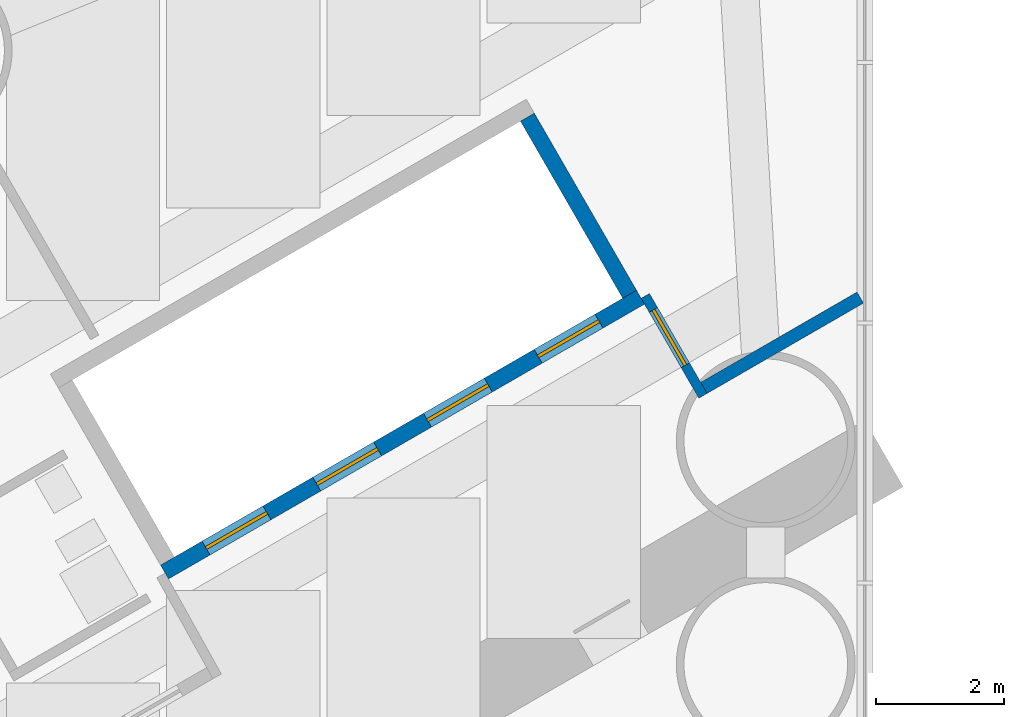
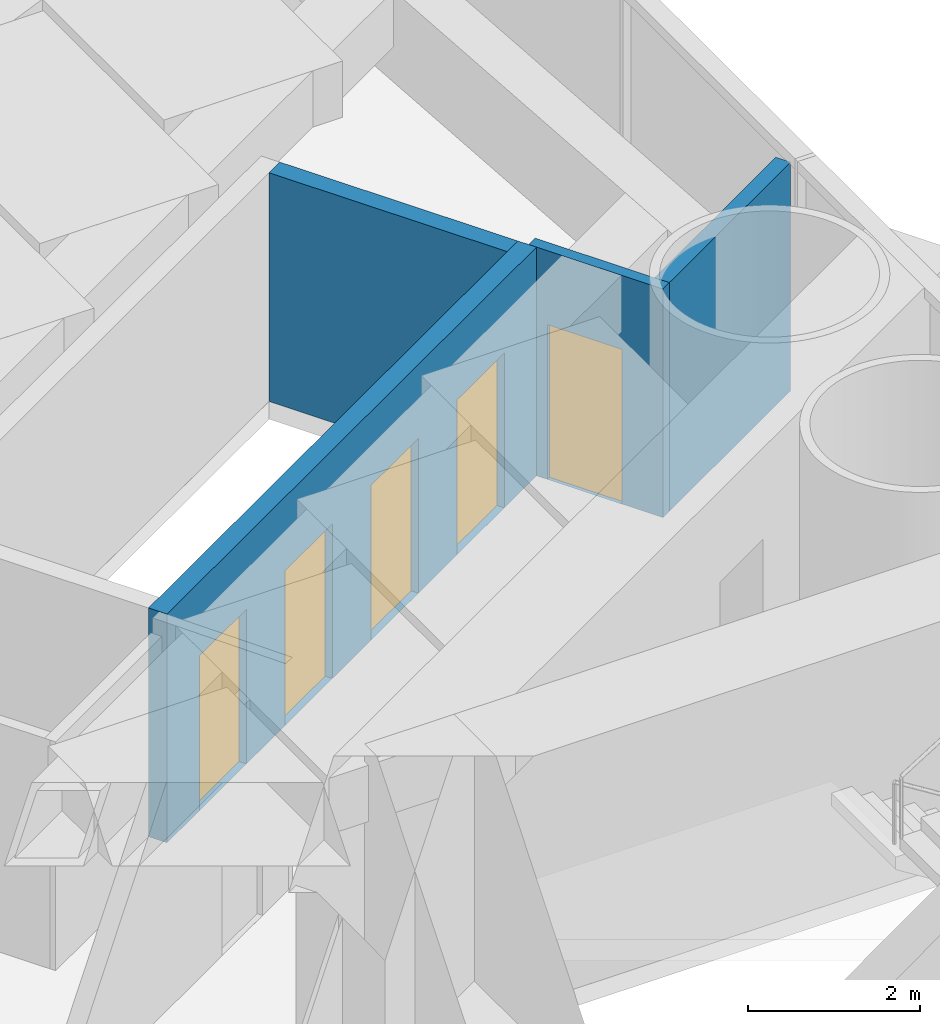
# One storey, part 13 of 19: 5 doors, 4 walls, 5 openings.
"""IFC4 building model written with IfcOpenShell, lengths in metres."""

from ifc_helpers import new_model, si_unit, direction, frame, frame_2d, origin, place, context, subcontext, project, spatial, rectangle, extrude, material, layer, layer_set, type_object, element, fill, save


model = new_model("IFC4")

# Units and contexts
model_context = context("Model", 3, precision=1e-05, world=origin(), true_north=direction((0.0, 1.0)))
body_context = subcontext(model_context, "Body", "Model", "MODEL_VIEW")
ifc_project = project(units=[si_unit("LENGTHUNIT", "METRE"), si_unit("AREAUNIT", "SQUARE_METRE"), si_unit("VOLUMEUNIT", "CUBIC_METRE"), si_unit("PLANEANGLEUNIT", "RADIAN"), si_unit("MASSUNIT", "GRAM", prefix="KILO")], contexts=[model_context])

# Site, building, storey
site_placement = place(None, origin())
site = spatial("IfcSite", under=ifc_project, at=site_placement, CompositionType="ELEMENT")
building_placement = place(site_placement, origin())
building = spatial("IfcBuilding", under=site, at=building_placement, Name="Lancet Gate Hotel", CompositionType="ELEMENT")
storey_placement = place(building_placement, frame((0.0, 0.0, 74.0)))
storey = spatial("IfcBuildingStorey", under=building, at=storey_placement, Name="L19", CompositionType="ELEMENT", Elevation=74.0)

# Wall
ifc_material_1 = material(Name="Gypsum board partition")
ifc_layer_1 = layer(ifc_material_1, 0.199951171875)
ifc_layer_set_1 = layer_set([ifc_layer_1], Name="Corridor wall 200")
wall_type_1 = type_object("IfcWallType", Name="Corridor wall 200", PredefinedType="PARTITIONING", material=ifc_layer_set_1)
wall_1_placement = place(storey_placement, frame((-27.572021484375, 16.740966796875, 0.0), z_axis=(0.0, 0.0, 1.0), x_axis=(-0.866034618596, -0.499984039138, 0.0)))
element("IfcWall", 1, at=wall_1_placement, inside=storey, type_object=wall_type_1, Name="T1 corridor wall 200 L19", PredefinedType="PARTITIONING", context=body_context, shape_type="SweptSolid", body=[
    extrude(rectangle(XDim=2.8544921875, YDim=0.199951171875, at=frame_2d((1.42724609375, 0.0))), origin(), (0.0, 0.0, 1.0), 3.25),
])

# Wall, openings, doors
ifc_material_2 = material(Name="Gypsum board partition")
ifc_layer_2 = layer(ifc_material_2, 0.25)
ifc_layer_set_2 = layer_set([ifc_layer_2], Name="Lift shaft partition 250")
wall_type_2 = type_object("IfcWallType", Name="Lift shaft partition 250", PredefinedType="PARTITIONING", material=ifc_layer_set_2)
wall_2_placement = place(storey_placement, frame((-31.010498046875, 16.747314453125, 0.0), z_axis=(0.0, 0.0, 1.0), x_axis=(-0.866028165386, -0.499995216735, 0.0)))
wall_2 = element("IfcWall", 2, at=wall_2_placement, inside=storey, type_object=wall_type_2, Name="T1 lift shaft wall LR L19", PredefinedType="PARTITIONING", context=body_context, shape_type="SweptSolid", body=[
    extrude(rectangle(XDim=8.60009765625, YDim=0.25, at=frame_2d((4.300048828125, 0.0))), origin(), (0.0, 0.0, 1.0), 3.25),
])
opening_1_placement = place(wall_2_placement, frame((0.75, 0.0, 0.0)))
opening_1 = element("IfcOpeningElement", 3, at=opening_1_placement, cuts=wall_2, Name="Opening T1-LR1-L19", PredefinedType="OPENING", context=body_context, shape_type="SweptSolid", body=[
    extrude(rectangle(XDim=1.10009765625, YDim=2.199951171875, at=frame_2d((0.550048828125, 1.10009765625))), frame((0.0, 0.135009765625, 0.0), z_axis=(0.0, -1.0, 0.0), x_axis=(1.0, 0.0, 0.0)), (0.0, 0.0, 1.0), 0.27001953125),
])
opening_2_placement = place(wall_2_placement, frame((2.75, 0.0, 0.0)))
opening_2 = element("IfcOpeningElement", 4, at=opening_2_placement, cuts=wall_2, Name="Opening T1-LR2-L19", PredefinedType="OPENING", context=body_context, shape_type="SweptSolid", body=[
    extrude(rectangle(XDim=1.10009765625, YDim=2.199951171875, at=frame_2d((0.550048828125, 1.10009765625))), frame((0.0, 0.135009765625, 0.0), z_axis=(0.0, -1.0, 0.0), x_axis=(1.0, 0.0, 0.0)), (0.0, 0.0, 1.0), 0.27001953125),
])
opening_3_placement = place(wall_2_placement, frame((4.75, 0.0, 0.0)))
opening_3 = element("IfcOpeningElement", 5, at=opening_3_placement, cuts=wall_2, Name="Opening T1-LR3-L19", PredefinedType="OPENING", context=body_context, shape_type="SweptSolid", body=[
    extrude(rectangle(XDim=1.10009765625, YDim=2.199951171875, at=frame_2d((0.550048828125, 1.10009765625))), frame((0.0, 0.135009765625, 0.0), z_axis=(0.0, -1.0, 0.0), x_axis=(1.0, 0.0, 0.0)), (0.0, 0.0, 1.0), 0.27001953125),
])
opening_4_placement = place(wall_2_placement, frame((6.75, 0.0, 0.0)))
opening_4 = element("IfcOpeningElement", 6, at=opening_4_placement, cuts=wall_2, Name="Opening T1-LR4-L19", PredefinedType="OPENING", context=body_context, shape_type="SweptSolid", body=[
    extrude(rectangle(XDim=1.10009765625, YDim=2.199951171875, at=frame_2d((0.550048828125, 1.10009765625))), frame((0.0, 0.135009765625, 0.0), z_axis=(0.0, -1.0, 0.0), x_axis=(1.0, 0.0, 0.0)), (0.0, 0.0, 1.0), 0.27001953125),
])
ifc_material_3 = material(Name="Steel door set", Category="steel")
door_type_1 = type_object("IfcDoorType", Name="Lift landing door 1100", OperationType="DOUBLE_DOOR_SLIDING", PredefinedType="USERDEFINED", material=ifc_material_3)
door_1_placement = place(opening_1_placement, origin())
door_1 = element("IfcDoor", 7, at=door_1_placement, inside=storey, type_object=door_type_1, Name="T1-LR1-L19", ObjectType="LIFT LANDING DOOR", OperationType="DOUBLE_DOOR_SLIDING", OverallHeight=2.199951171875, OverallWidth=1.10009765625, PredefinedType="USERDEFINED", context=body_context, shape_type="SweptSolid", body=[
    extrude(rectangle(XDim=1.10009765625, YDim=2.199951171875, at=frame_2d((0.550048828125, 1.10009765625))), frame((0.0, 0.02490234375, 0.0), z_axis=(0.0, -1.0, 0.0), x_axis=(1.0, 0.0, 0.0)), (0.0, 0.0, 1.0), 0.050048828125),
])
fill(opening_1, door_1)
door_2_placement = place(opening_2_placement, origin())
door_2 = element("IfcDoor", 8, at=door_2_placement, inside=storey, type_object=door_type_1, Name="T1-LR2-L19", ObjectType="LIFT LANDING DOOR", OperationType="DOUBLE_DOOR_SLIDING", OverallHeight=2.199951171875, OverallWidth=1.10009765625, PredefinedType="USERDEFINED", context=body_context, shape_type="SweptSolid", body=[
    extrude(rectangle(XDim=1.10009765625, YDim=2.199951171875, at=frame_2d((0.550048828125, 1.10009765625))), frame((0.0, 0.02490234375, 0.0), z_axis=(0.0, -1.0, 0.0), x_axis=(1.0, 0.0, 0.0)), (0.0, 0.0, 1.0), 0.050048828125),
])
fill(opening_2, door_2)
door_3_placement = place(opening_3_placement, origin())
door_3 = element("IfcDoor", 9, at=door_3_placement, inside=storey, type_object=door_type_1, Name="T1-LR3-L19", ObjectType="LIFT LANDING DOOR", OperationType="DOUBLE_DOOR_SLIDING", OverallHeight=2.199951171875, OverallWidth=1.10009765625, PredefinedType="USERDEFINED", context=body_context, shape_type="SweptSolid", body=[
    extrude(rectangle(XDim=1.10009765625, YDim=2.199951171875, at=frame_2d((0.550048828125, 1.10009765625))), frame((0.0, 0.02490234375, 0.0), z_axis=(0.0, -1.0, 0.0), x_axis=(1.0, 0.0, 0.0)), (0.0, 0.0, 1.0), 0.050048828125),
])
fill(opening_3, door_3)
door_4_placement = place(opening_4_placement, origin())
door_4 = element("IfcDoor", 10, at=door_4_placement, inside=storey, type_object=door_type_1, Name="T1-LR4-L19", ObjectType="LIFT LANDING DOOR", OperationType="DOUBLE_DOOR_SLIDING", OverallHeight=2.199951171875, OverallWidth=1.10009765625, PredefinedType="USERDEFINED", context=body_context, shape_type="SweptSolid", body=[
    extrude(rectangle(XDim=1.10009765625, YDim=2.199951171875, at=frame_2d((0.550048828125, 1.10009765625))), frame((0.0, 0.02490234375, 0.0), z_axis=(0.0, -1.0, 0.0), x_axis=(1.0, 0.0, 0.0)), (0.0, 0.0, 1.0), 0.050048828125),
])
fill(opening_4, door_4)

# Wall
wall_3_placement = place(storey_placement, frame((-31.18115234375, 16.79296875, 0.0), z_axis=(0.0, 0.0, 1.0), x_axis=(-0.499929347863, 0.866066190972, 0.0)))
element("IfcWall", 11, at=wall_3_placement, inside=storey, type_object=wall_type_2, Name="T1 lift shaft wall LR L19", PredefinedType="PARTITIONING", context=body_context, shape_type="SweptSolid", body=[
    extrude(rectangle(XDim=3.20068359375, YDim=0.25, at=frame_2d((1.600341796875, 0.0))), origin(), (0.0, 0.0, 1.0), 3.25),
])

# Wall, opening, door
ifc_material_4 = material(Name="Gypsum board partition")
ifc_layer_3 = layer(ifc_material_4, 0.14990234375)
ifc_layer_set_3 = layer_set([ifc_layer_3], Name="Service room wall 150")
wall_type_3 = type_object("IfcWallType", Name="Service room wall 150", PredefinedType="PARTITIONING", material=ifc_layer_set_3)
wall_4_placement = place(storey_placement, frame((-30.033203125, 15.20458984375, 0.0), z_axis=(0.0, 0.0, 1.0), x_axis=(-0.499980071345, 0.866036909293, 0.0)))
wall_4 = element("IfcWall", 12, at=wall_4_placement, inside=storey, type_object=wall_type_3, Name="T1 service room wall 150 L19", PredefinedType="PARTITIONING", context=body_context, shape_type="SweptSolid", body=[
    extrude(rectangle(XDim=1.8046875, YDim=0.14990234375, at=frame_2d((0.90234375, 0.0))), origin(), (0.0, 0.0, 1.0), 3.25),
])
opening_5_placement = place(wall_4_placement, frame((0.552001953125, 0.0, 0.0)))
opening_5 = element("IfcOpeningElement", 13, at=opening_5_placement, cuts=wall_4, Name="Opening T1-L19-LO1", PredefinedType="OPENING", context=body_context, shape_type="SweptSolid", body=[
    extrude(rectangle(XDim=1.0, YDim=2.199951171875, at=frame_2d((0.5, 1.10009765625))), frame((0.0, 0.0849609375, 0.0), z_axis=(0.0, -1.0, 0.0), x_axis=(1.0, 0.0, 0.0)), (0.0, 0.0, 1.0), 0.169921875),
])
ifc_material_5 = material(Name="Timber door set", Category="wood")
door_type_2 = type_object("IfcDoorType", Name="Service door 1000", OperationType="SINGLE_SWING_LEFT", PredefinedType="DOOR", material=ifc_material_5)
door_5_placement = place(opening_5_placement, origin())
door_5 = element("IfcDoor", 14, at=door_5_placement, inside=storey, type_object=door_type_2, Name="T1-L19-LO1", OperationType="SINGLE_SWING_LEFT", OverallHeight=2.199951171875, OverallWidth=1.0, PredefinedType="DOOR", context=body_context, shape_type="SweptSolid", body=[
    extrude(rectangle(XDim=1.0, YDim=2.199951171875, at=frame_2d((0.5, 1.10009765625))), frame((0.0, 0.02490234375, 0.0), z_axis=(0.0, -1.0, 0.0), x_axis=(1.0, 0.0, 0.0)), (0.0, 0.0, 1.0), 0.050048828125),
])
fill(opening_5, door_5)

save(model, "model.ifc")
